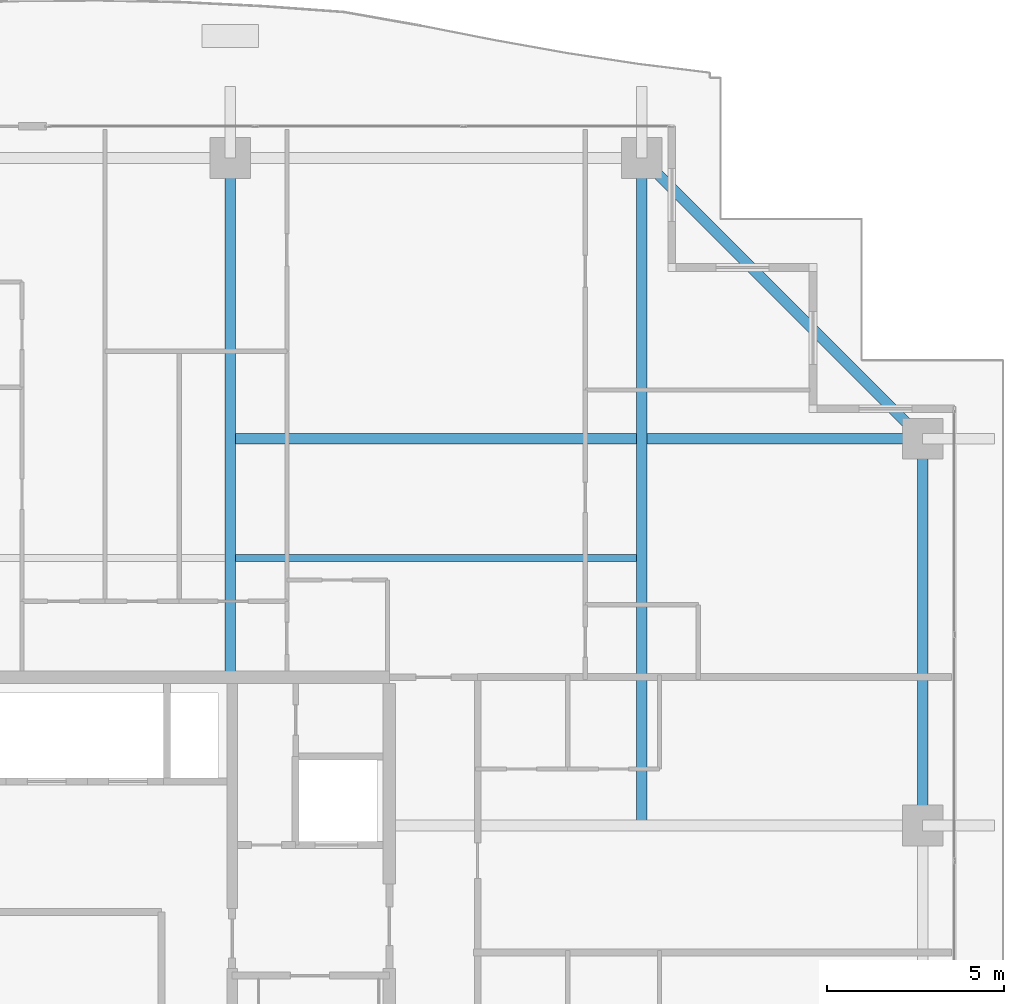
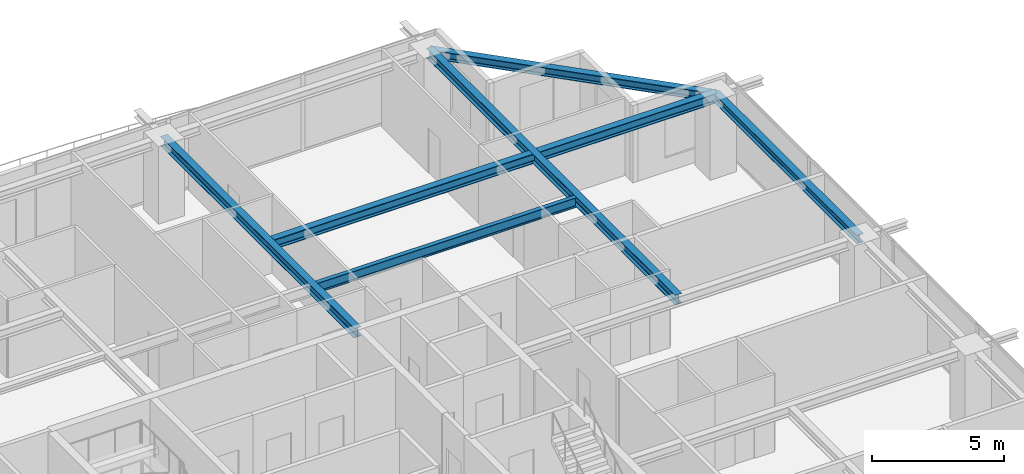
# One storey, part 23 of 38: 6 beams.
"""IFC4 building model written with IfcOpenShell, lengths in metres."""

from ifc_helpers import new_model, si_unit, direction, frame, origin, origin_2d, place, context, subcontext, project, spatial, i_section, extrude, source, transform, mapped, material, material_profile, profile_set, type_object, element, save


model = new_model("IFC4")

# Units and contexts
model_context = context("Model", 3, precision=1e-05, world=origin(), true_north=direction((0.0, 1.0)))
body_context = subcontext(model_context, "Body", "Model", "MODEL_VIEW")
ifc_project = project(units=[si_unit("LENGTHUNIT", "METRE"), si_unit("AREAUNIT", "SQUARE_METRE"), si_unit("VOLUMEUNIT", "CUBIC_METRE"), si_unit("PLANEANGLEUNIT", "RADIAN"), si_unit("MASSUNIT", "GRAM", prefix="KILO")], contexts=[model_context])

# Site, building, storey
site_placement = place(None, origin())
site = spatial("IfcSite", under=ifc_project, at=site_placement, CompositionType="ELEMENT")
building_placement = place(site_placement, origin())
building = spatial("IfcBuilding", under=site, at=building_placement, Name="Serunith Strait Residences", CompositionType="ELEMENT")
storey_placement = place(building_placement, frame((0.0, 0.0, 268.199951171875)))
storey = spatial("IfcBuildingStorey", under=building, at=storey_placement, Name="L67", CompositionType="ELEMENT", Elevation=268.199951171875)

# Beams
ifc_material = material(Name="Steel S355J2", Category="steel")
ifc_material_profile_1 = material_profile(ifc_material, i_section(OverallWidth=0.300048828125, OverallDepth=0.449951171875, WebThickness=0.013916015625, FlangeThickness=0.02587890625, FilletRadius=0.027099609375, at=origin_2d()), Name="HEB 450")
ifc_profile_set_1 = profile_set([ifc_material_profile_1], Name="Steel S355J2")
beam_type_1 = type_object("IfcBeamType", Name="BM-HEB450", PredefinedType="BEAM", material=ifc_profile_set_1)
shared_shape_1 = source(origin(), body_context, "Body", "SweptSolid", [
    extrude(i_section(OverallWidth=0.300048828125, OverallDepth=0.449951171875, WebThickness=0.013916015625, FlangeThickness=0.02587890625, FilletRadius=0.027099609375, at=origin_2d()), origin(), (0.0, 0.0, 1.0), 14.699951171875),
])
beam_1_placement = place(storey_placement, frame((36.89990234375, 33.60009765625, 3.362060546875), z_axis=(0.0, 1.0, 0.0), x_axis=(-1.0, 0.0, 0.0)))
element("IfcBeam", 1, at=beam_1_placement, inside=storey, type_object=beam_type_1, Name="L67 Primary Floor Girder TC-N3", PredefinedType="BEAM", context=body_context, shape_type="MappedRepresentation", body=[
    mapped(shared_shape_1, transform((0.0, 0.0, 0.0), scale=1.0)),
])
shared_shape_2 = source(origin(), body_context, "Body", "SweptSolid", [
    extrude(i_section(OverallWidth=0.300048828125, OverallDepth=0.449951171875, WebThickness=0.013916015625, FlangeThickness=0.02587890625, FilletRadius=0.027099609375, at=origin_2d()), origin(), (0.0, 0.0, 1.0), 18.900146484375),
])
beam_2_placement = place(storey_placement, frame((48.550048828125, 29.39990234375, 3.362060546875), z_axis=(0.0, 1.0, 0.0), x_axis=(-1.0, 0.0, 0.0)))
element("IfcBeam", 2, at=beam_2_placement, inside=storey, type_object=beam_type_1, Name="L67 Orthogonal Corner Girder TC-N4", PredefinedType="BEAM", context=body_context, shape_type="MappedRepresentation", body=[
    mapped(shared_shape_2, transform((0.0, 0.0, 0.0), scale=1.0)),
])
shared_shape_3 = source(origin(), body_context, "Body", "SweptSolid", [
    extrude(i_section(OverallWidth=0.300048828125, OverallDepth=0.449951171875, WebThickness=0.013916015625, FlangeThickness=0.02587890625, FilletRadius=0.027099609375, at=origin_2d()), origin(), (0.0, 0.0, 1.0), 19.60009765625),
])
beam_3_placement = place(storey_placement, frame((36.89990234375, 40.35009765625, 3.362060546875), z_axis=(1.0, 0.0, 0.0), x_axis=(0.0, 1.0, 0.0)))
element("IfcBeam", 3, at=beam_3_placement, inside=storey, type_object=beam_type_1, Name="L67 Orthogonal Corner Girder TC-E4", PredefinedType="BEAM", context=body_context, shape_type="MappedRepresentation", body=[
    mapped(shared_shape_3, transform((0.0, 0.0, 0.0), scale=1.0)),
])
ifc_material_profile_2 = material_profile(ifc_material, i_section(OverallWidth=0.300048828125, OverallDepth=0.39990234375, WebThickness=0.013427734375, FlangeThickness=0.02392578125, FilletRadius=0.027099609375, at=origin_2d()), Name="HEB 400")
ifc_profile_set_2 = profile_set([ifc_material_profile_2], Name="Steel S355J2")
beam_type_2 = type_object("IfcBeamType", Name="BM-HEB400", PredefinedType="BEAM", material=ifc_profile_set_2)
shared_shape_4 = source(origin(), body_context, "Body", "SweptSolid", [
    extrude(i_section(OverallWidth=0.300048828125, OverallDepth=0.39990234375, WebThickness=0.013427734375, FlangeThickness=0.02392578125, FilletRadius=0.027099609375, at=origin_2d()), origin(), (0.0, 0.0, 1.0), 11.242919921875),
])
beam_4_placement = place(storey_placement, frame((56.5, 40.35009765625, 3.35693359375), z_axis=(-0.707106781187, 0.707106781187, 0.0), x_axis=(-0.707106781187, -0.707106781187, 0.0)))
element("IfcBeam", 4, at=beam_4_placement, inside=storey, type_object=beam_type_2, Name="L67 Perimeter Ring Beam 08", PredefinedType="BEAM", context=body_context, shape_type="MappedRepresentation", body=[
    mapped(shared_shape_4, transform((0.0, 0.0, 0.0), scale=1.0)),
])
shared_shape_5 = source(origin(), body_context, "Body", "SweptSolid", [
    extrude(i_section(OverallWidth=0.300048828125, OverallDepth=0.39990234375, WebThickness=0.013427734375, FlangeThickness=0.02392578125, FilletRadius=0.027099609375, at=origin_2d()), origin(), (0.0, 0.0, 1.0), 10.9501953125),
])
beam_5_placement = place(storey_placement, frame((56.5, 29.39990234375, 3.386962890625), z_axis=(0.0, 1.0, 0.0), x_axis=(-1.0, 0.0, 0.0)))
element("IfcBeam", 5, at=beam_5_placement, inside=storey, type_object=beam_type_2, Name="L67 Perimeter Ring Beam 07", PredefinedType="BEAM", context=body_context, shape_type="MappedRepresentation", body=[
    mapped(shared_shape_5, transform((0.0, 0.0, 0.0), scale=1.0)),
])
ifc_material_profile_3 = material_profile(ifc_material, i_section(OverallWidth=0.18994140625, OverallDepth=0.449951171875, WebThickness=0.009521484375, FlangeThickness=0.0146484375, FilletRadius=0.02099609375, at=origin_2d()), Name="IPE 450")
ifc_profile_set_3 = profile_set([ifc_material_profile_3], Name="Steel S355J2")
beam_type_3 = type_object("IfcBeamType", Name="BM-IPE450", PredefinedType="JOIST", material=ifc_profile_set_3)
shared_shape_6 = source(origin(), body_context, "Body", "SweptSolid", [
    extrude(i_section(OverallWidth=0.18994140625, OverallDepth=0.449951171875, WebThickness=0.009521484375, FlangeThickness=0.0146484375, FilletRadius=0.02099609375, at=origin_2d()), origin(), (0.0, 0.0, 1.0), 11.349853515625),
])
beam_6_placement = place(storey_placement, frame((37.050048828125, 36.97509765625, 3.362060546875), z_axis=(1.0, 0.0, 0.0), x_axis=(0.0, 1.0, 0.0)))
element("IfcBeam", 6, at=beam_6_placement, inside=storey, type_object=beam_type_3, Name="L67 Composite Floor Joist 06", PredefinedType="JOIST", context=body_context, shape_type="MappedRepresentation", body=[
    mapped(shared_shape_6, transform((0.0, 0.0, 0.0), scale=1.0)),
])

save(model, "model.ifc")
